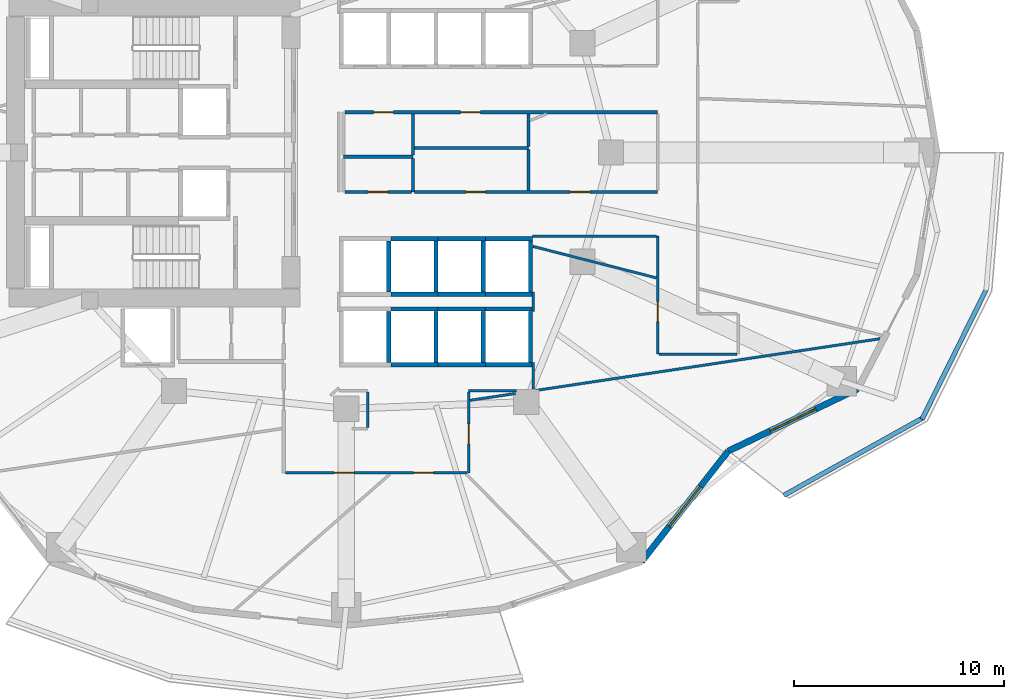
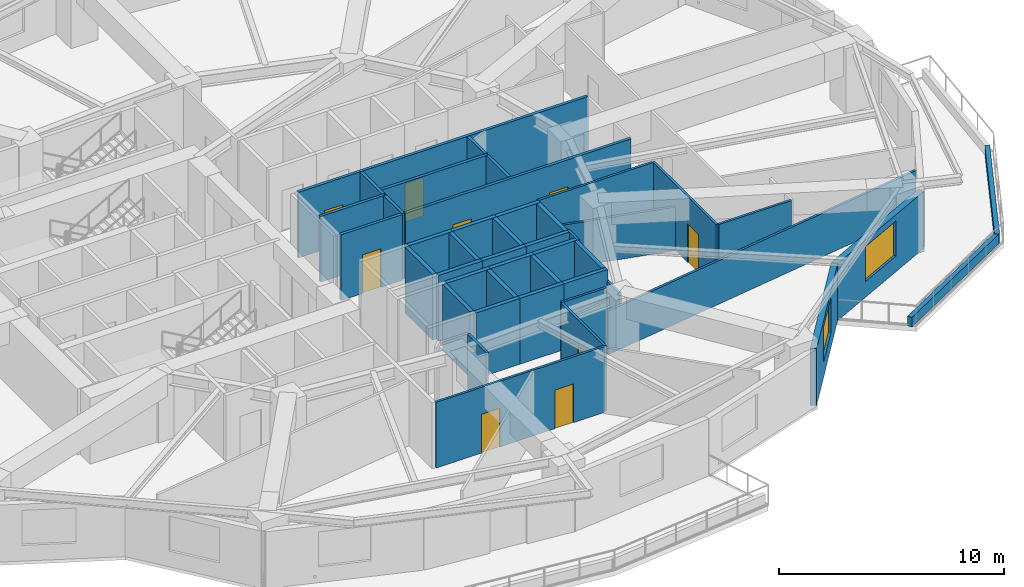
# One storey, part 5 of 13: 45 walls, 9 doors, 2 windows, 11 openings.
"""IFC4 building model written with IfcOpenShell, lengths in metres."""

from ifc_helpers import new_model, si_unit, direction, frame, frame_2d, origin, place, context, subcontext, project, spatial, rectangle, extrude, material, layer, layer_set, type_object, element, fill, save


model = new_model("IFC4")

# Units and contexts
model_context = context("Model", 3, precision=1e-05, world=origin(), true_north=direction((0.0, 1.0)))
body_context = subcontext(model_context, "Body", "Model", "MODEL_VIEW")
ifc_project = project(units=[si_unit("LENGTHUNIT", "METRE"), si_unit("AREAUNIT", "SQUARE_METRE"), si_unit("VOLUMEUNIT", "CUBIC_METRE"), si_unit("PLANEANGLEUNIT", "RADIAN"), si_unit("MASSUNIT", "GRAM", prefix="KILO")], contexts=[model_context])

# Site, building, storey
site_placement = place(None, origin())
site = spatial("IfcSite", under=ifc_project, at=site_placement, CompositionType="ELEMENT")
building_placement = place(site_placement, origin())
building = spatial("IfcBuilding", under=site, at=building_placement, Name="Kolvaren Gate Tower and Convention Centre", CompositionType="ELEMENT")
storey_placement = place(building_placement, frame((0.0, 0.0, 49.60009765625)))
storey = spatial("IfcBuildingStorey", under=building, at=storey_placement, Name="L11", CompositionType="ELEMENT", Elevation=49.60009765625)

# Wall
ifc_material_1 = material(Name="Fire-Rated Acoustic Gypsum Stud Partition", Category="gypsum")
ifc_layer_1 = layer(ifc_material_1, 0.1201171875)
ifc_layer_set_1 = layer_set([ifc_layer_1], Name="Fire-Rated Acoustic Gypsum Stud Partition")
wall_type_1 = type_object("IfcWallType", Name="ARCH-WL-PART-120", PredefinedType="PARTITIONING", material=ifc_layer_set_1)
wall_1_placement = place(storey_placement, frame((35.949951171875, 15.64990234375, 0.0), z_axis=(0.0, 0.0, 1.0), x_axis=(1.0, 0.0, 0.0)))
element("IfcWall", 1, at=wall_1_placement, inside=storey, type_object=wall_type_1, Name="Interior Partition WL-L11-INT-023", PredefinedType="PARTITIONING", context=body_context, shape_type="SweptSolid", body=[
    extrude(rectangle(XDim=2.291015625, YDim=0.1201171875, at=frame_2d((1.1455078125, 0.0))), origin(), (0.0, 0.0, 1.0), 3.56982421875),
])

# Wall, opening, door
wall_2_placement = place(storey_placement, frame((35.949951171875, 11.75, 0.0), z_axis=(0.0, 0.0, 1.0), x_axis=(0.0, 1.0, 0.0)))
wall_2 = element("IfcWall", 2, at=wall_2_placement, inside=storey, type_object=wall_type_1, Name="Interior Partition WL-L11-INT-024", PredefinedType="PARTITIONING", context=body_context, shape_type="SweptSolid", body=[
    extrude(rectangle(XDim=3.837890625, YDim=0.1201171875, at=frame_2d((1.9189453125, 0.0))), origin(), (0.0, 0.0, 1.0), 3.56982421875),
])
opening_1_placement = place(wall_2_placement, frame((1.376220703125, 0.0, 0.0)))
opening_1 = element("IfcOpeningElement", 3, at=opening_1_placement, cuts=wall_2, Name="Opening DR-01", PredefinedType="OPENING", context=body_context, shape_type="SweptSolid", body=[
    extrude(rectangle(XDim=0.949951171875, YDim=2.10009765625, at=frame_2d((0.47509765625, 1.050048828125))), frame((0.0, 0.070068359375, 0.0), z_axis=(0.0, -1.0, 0.0), x_axis=(1.0, 0.0, 0.0)), (0.0, 0.0, 1.0), 0.14013671875),
])
ifc_material_2 = material(Name="Painted Architectural Steelwork ASTM A500 Grade C 345 MPa", Category="steel")
door_type = type_object("IfcDoorType", Name="ARCH-DR-RISER-950", OperationType="SINGLE_SWING_RIGHT", PredefinedType="DOOR", material=ifc_material_2)
door_1_placement = place(opening_1_placement, origin())
door_1 = element("IfcDoor", 4, at=door_1_placement, inside=storey, type_object=door_type, Name="Staff Dining and Bistro Cafe Door", OperationType="SINGLE_SWING_RIGHT", OverallHeight=2.10009765625, OverallWidth=0.949951171875, PredefinedType="DOOR", context=body_context, shape_type="SweptSolid", body=[
    extrude(rectangle(XDim=0.949951171875, YDim=2.10009765625, at=frame_2d((0.47509765625, 1.050048828125))), frame((0.0, 0.02490234375, 0.0), z_axis=(0.0, -1.0, 0.0), x_axis=(1.0, 0.0, 0.0)), (0.0, 0.0, 1.0), 0.050048828125),
])
fill(opening_1, door_1)

# Wall, openings, doors
wall_3_placement = place(storey_placement, frame((27.241943359375, 11.75, 0.0), z_axis=(0.0, 0.0, 1.0), x_axis=(1.0, 0.0, 0.0)))
wall_3 = element("IfcWall", 5, at=wall_3_placement, inside=storey, type_object=wall_type_1, Name="Interior Partition WL-L11-INT-025", PredefinedType="PARTITIONING", context=body_context, shape_type="SweptSolid", body=[
    extrude(rectangle(XDim=8.64599609375, YDim=0.1201171875, at=frame_2d((4.322998046875, 0.0))), origin(), (0.0, 0.0, 1.0), 3.56982421875),
])
opening_2_placement = place(wall_3_placement, frame((2.310791015625, 0.0, 0.0)))
opening_2 = element("IfcOpeningElement", 6, at=opening_2_placement, cuts=wall_3, Name="Opening DR-01", PredefinedType="OPENING", context=body_context, shape_type="SweptSolid", body=[
    extrude(rectangle(XDim=0.949951171875, YDim=2.10009765625, at=frame_2d((0.47509765625, 1.050048828125))), frame((0.0, 0.070068359375, 0.0), z_axis=(0.0, -1.0, 0.0), x_axis=(1.0, 0.0, 0.0)), (0.0, 0.0, 1.0), 0.14013671875),
])
opening_3_placement = place(wall_3_placement, frame((6.099365234375, 0.0, 0.0)))
opening_3 = element("IfcOpeningElement", 7, at=opening_3_placement, cuts=wall_3, Name="Opening DR-01", PredefinedType="OPENING", context=body_context, shape_type="SweptSolid", body=[
    extrude(rectangle(XDim=0.949951171875, YDim=2.10009765625, at=frame_2d((0.47509765625, 1.050048828125))), frame((0.0, 0.070068359375, 0.0), z_axis=(0.0, -1.0, 0.0), x_axis=(1.0, 0.0, 0.0)), (0.0, 0.0, 1.0), 0.14013671875),
])
door_2_placement = place(opening_2_placement, origin())
door_2 = element("IfcDoor", 8, at=door_2_placement, inside=storey, type_object=door_type, Name="Staff Bistro Cafe Door", OperationType="SINGLE_SWING_RIGHT", OverallHeight=2.10009765625, OverallWidth=0.949951171875, PredefinedType="DOOR", context=body_context, shape_type="SweptSolid", body=[
    extrude(rectangle(XDim=0.949951171875, YDim=2.10009765625, at=frame_2d((0.47509765625, 1.050048828125))), frame((0.0, 0.02490234375, 0.0), z_axis=(0.0, -1.0, 0.0), x_axis=(1.0, 0.0, 0.0)), (0.0, 0.0, 1.0), 0.050048828125),
])
fill(opening_2, door_2)
door_3_placement = place(opening_3_placement, origin())
door_3 = element("IfcDoor", 9, at=door_3_placement, inside=storey, type_object=door_type, Name="Technical Reference Library Door", OperationType="SINGLE_SWING_LEFT", OverallHeight=2.10009765625, OverallWidth=0.949951171875, PredefinedType="DOOR", context=body_context, shape_type="SweptSolid", body=[
    extrude(rectangle(XDim=0.949951171875, YDim=2.10009765625, at=frame_2d((0.47509765625, 1.050048828125))), frame((0.0, 0.02490234375, 0.0), z_axis=(0.0, -1.0, 0.0), x_axis=(1.0, 0.0, 0.0)), (0.0, 0.0, 1.0), 0.050048828125),
])
fill(opening_3, door_3)

# Wall, opening, door
wall_4_placement = place(storey_placement, frame((44.949951171875, 17.39990234375, 0.0), z_axis=(0.0, 0.0, 1.0), x_axis=(0.0, 1.0, 0.0)))
wall_4 = element("IfcWall", 10, at=wall_4_placement, inside=storey, type_object=wall_type_1, Name="Interior Partition WL-L11-INT-032", PredefinedType="PARTITIONING", context=body_context, shape_type="SweptSolid", body=[
    extrude(rectangle(XDim=5.6201171875, YDim=0.1201171875, at=frame_2d((2.81005859375, 0.0))), origin(), (0.0, 0.0, 1.0), 3.56982421875),
])
opening_4_placement = place(wall_4_placement, frame((1.5546875, 0.0, 0.0)))
opening_4 = element("IfcOpeningElement", 11, at=opening_4_placement, cuts=wall_4, Name="Opening DR-01", PredefinedType="OPENING", context=body_context, shape_type="SweptSolid", body=[
    extrude(rectangle(XDim=0.949951171875, YDim=2.10009765625, at=frame_2d((0.47509765625, 1.050048828125))), frame((0.0, 0.070068359375, 0.0), z_axis=(0.0, -1.0, 0.0), x_axis=(1.0, 0.0, 0.0)), (0.0, 0.0, 1.0), 0.14013671875),
])
door_4_placement = place(opening_4_placement, origin())
door_4 = element("IfcDoor", 12, at=door_4_placement, inside=storey, type_object=door_type, Name="Project Review Meeting Room Door", OperationType="SINGLE_SWING_LEFT", OverallHeight=2.10009765625, OverallWidth=0.949951171875, PredefinedType="DOOR", context=body_context, shape_type="SweptSolid", body=[
    extrude(rectangle(XDim=0.949951171875, YDim=2.10009765625, at=frame_2d((0.47509765625, 1.050048828125))), frame((0.0, 0.02490234375, 0.0), z_axis=(0.0, -1.0, 0.0), x_axis=(1.0, 0.0, 0.0)), (0.0, 0.0, 1.0), 0.050048828125),
])
fill(opening_4, door_4)

# Walls
wall_5_placement = place(storey_placement, frame((45.011962890625, 17.39990234375, 0.0), z_axis=(0.0, 0.0, 1.0), x_axis=(1.0, 0.0, 0.0)))
element("IfcWall", 13, at=wall_5_placement, inside=storey, type_object=wall_type_1, Name="Interior Partition WL-L11-INT-041", PredefinedType="PARTITIONING", context=body_context, shape_type="SweptSolid", body=[
    extrude(rectangle(XDim=3.72607421875, YDim=0.1201171875, at=frame_2d((1.863037109375, 0.0))), origin(), (0.0, 0.0, 1.0), 3.56982421875),
])
wall_6_placement = place(storey_placement, frame((39.0, 23.02001953125, 0.0), z_axis=(0.0, 0.0, 1.0), x_axis=(1.0, 0.0, 0.0)))
element("IfcWall", 14, at=wall_6_placement, inside=storey, type_object=wall_type_1, Name="Interior Partition WL-L11-INT-042", PredefinedType="PARTITIONING", context=body_context, shape_type="SweptSolid", body=[
    extrude(rectangle(XDim=5.887939453125, YDim=0.1201171875, at=frame_2d((2.94384765625, 0.0))), origin(), (0.0, 0.0, 1.0), 3.56982421875),
])
wall_7_placement = place(storey_placement, frame((39.02001953125, 15.741943359375, 0.0), z_axis=(0.0, 0.0, 1.0), x_axis=(0.0, 1.0, 0.0)))
element("IfcWall", 15, at=wall_7_placement, inside=storey, type_object=wall_type_1, Name="Interior Partition WL-L11-INT-043", PredefinedType="PARTITIONING", context=body_context, shape_type="SweptSolid", body=[
    extrude(rectangle(XDim=1.26806640625, YDim=0.1201171875, at=frame_2d((0.634033203125, 0.0))), origin(), (0.0, 0.0, 1.0), 2.933837890625),
])
wall_8_placement = place(storey_placement, frame((39.02001953125, 19.43994140625, 0.0), z_axis=(0.0, 0.0, 1.0), x_axis=(0.0, 1.0, 0.0)))
element("IfcWall", 16, at=wall_8_placement, inside=storey, type_object=wall_type_1, Name="Interior Partition WL-L11-INT-043 (2)", PredefinedType="PARTITIONING", context=body_context, shape_type="SweptSolid", body=[
    extrude(rectangle(XDim=0.920166015625, YDim=0.1201171875, at=frame_2d((0.4599609375, 0.0))), origin(), (0.0, 0.0, 1.0), 3.56982421875),
])
wall_9_placement = place(storey_placement, frame((31.14990234375, 13.912109375, 0.0), z_axis=(0.0, 0.0, 1.0), x_axis=(0.0, 1.0, 0.0)))
element("IfcWall", 17, at=wall_9_placement, inside=storey, type_object=wall_type_1, Name="Interior Partition WL-L11-INT-046", PredefinedType="PARTITIONING", context=body_context, shape_type="SweptSolid", body=[
    extrude(rectangle(XDim=1.67578125, YDim=0.1201171875, at=frame_2d((0.837890625, 0.0))), origin(), (0.0, 0.0, 1.0), 3.56982421875),
])
wall_10_placement = place(storey_placement, frame((39.015380859375, 22.53076171875, 0.0), z_axis=(0.0, 0.0, 1.0), x_axis=(0.968999219603, -0.247063782066, 0.0)))
element("IfcWall", 18, at=wall_10_placement, inside=storey, type_object=wall_type_1, Name="Interior Partition WL-L11-INT-051", PredefinedType="PARTITIONING", context=body_context, shape_type="SweptSolid", body=[
    extrude(rectangle(XDim=6.060546875, YDim=0.1201171875, at=frame_2d((3.0302734375, 0.0))), origin(), (0.0, 0.0, 1.0), 2.3623046875),
])
wall_11_placement = place(storey_placement, frame((36.011962890625, 15.201904296875, 0.0), z_axis=(0.0, 0.0, 1.0), x_axis=(0.988905340033, 0.148547058049, 0.0)))
element("IfcWall", 19, at=wall_11_placement, inside=storey, type_object=wall_type_1, Name="Interior Partition WL-L11-INT-054", PredefinedType="PARTITIONING", context=body_context, shape_type="SweptSolid", body=[
    extrude(rectangle(XDim=2.19580078125, YDim=0.1201171875, at=frame_2d((1.097900390625, 0.0))), origin(), (0.0, 0.0, 1.0), 2.933837890625),
])
wall_12_placement = place(storey_placement, frame((38.240966796875, 15.53662109375, 0.0), z_axis=(0.0, 0.0, 1.0), x_axis=(0.988910037188, 0.148515784849, 0.0)))
element("IfcWall", 20, at=wall_12_placement, inside=storey, type_object=wall_type_1, Name="Interior Partition WL-L11-INT-054 (2)", PredefinedType="PARTITIONING", context=body_context, shape_type="SweptSolid", body=[
    extrude(rectangle(XDim=17.4990234375, YDim=0.1201171875, at=frame_2d((8.74951171875, 0.0))), origin(), (0.0, 0.0, 1.0), 2.3623046875),
])
ifc_material_3 = material(Name="Piedmont Cream Honed Limestone Cladding", Category="masonry")
ifc_layer_2 = layer(ifc_material_3, 0.219970703125)
ifc_layer_set_2 = layer_set([ifc_layer_2], Name="Piedmont Cream Honed Limestone Cladding")
wall_type_2 = type_object("IfcWallType", Name="ARCH-WL-PLANTER-220", PredefinedType="PARAPET", material=ifc_layer_set_2)
wall_13_placement = place(storey_placement, frame((50.959228515625, 10.677978515625, 0.0), z_axis=(0.0, 0.0, 1.0), x_axis=(0.873500119739, 0.48682393205, 0.0)))
element("IfcWall", 21, at=wall_13_placement, inside=storey, type_object=wall_type_2, Name="Vertical-Forest Balcony Stone Planter Kerb PK-L11-4.1", PredefinedType="PARAPET", context=body_context, shape_type="SweptSolid", body=[
    extrude(rectangle(XDim=7.56201171875, YDim=0.219970703125, at=frame_2d((3.781005859375, 0.0))), origin(), (0.0, 0.0, 1.0), 0.52001953125),
])
wall_14_placement = place(storey_placement, frame((57.538818359375, 14.303466796875, 0.0), z_axis=(0.0, 0.0, 1.0), x_axis=(0.443578479433, 0.8962355341, 0.0)))
element("IfcWall", 22, at=wall_14_placement, inside=storey, type_object=wall_type_2, Name="Vertical-Forest Balcony Stone Planter Kerb PK-L11-4.2", PredefinedType="PARAPET", context=body_context, shape_type="SweptSolid", body=[
    extrude(rectangle(XDim=6.9111328125, YDim=0.219970703125, at=frame_2d((3.45556640625, 0.0))), origin(), (0.0, 0.0, 1.0), 0.52001953125),
])
ifc_material_4 = material(Name="Autoclaved Aerated Masonry Blockwork Class 4 (4.0 MPa)", Category="masonry")
ifc_layer_3 = layer(ifc_material_4, 0.199951171875)
ifc_layer_set_3 = layer_set([ifc_layer_3], Name="Autoclaved Aerated Masonry Blockwork Class 4 (4.0 MPa)")
wall_type_3 = type_object("IfcWallType", Name="ARCH-WL-SHAFT-200", PredefinedType="SOLIDWALL", material=ifc_layer_set_3)
wall_15_placement = place(storey_placement, frame((32.14990234375, 17.010009765625, 0.0), z_axis=(0.0, 0.0, 1.0), x_axis=(0.0, 1.0, 0.0)))
element("IfcWall", 23, at=wall_15_placement, inside=storey, type_object=wall_type_3, Name="Elevator PL-05 L11 Fire Shaft Wall E", PredefinedType="SOLIDWALL", context=body_context, shape_type="SweptSolid", body=[
    extrude(rectangle(XDim=2.429931640625, YDim=0.199951171875, at=frame_2d((1.21484375, 0.0))), origin(), (0.0, 0.0, 1.0), 3.56982421875),
])
for number, where, z_axis, x_axis, name in (
    (24, (32.25, 19.550048828125, 0.0), (0.0, 0.0, 1.0), (1.0, 0.0, 0.0), "Elevator PL-06 L11 Fire Shaft Wall N"),
    (25, (32.25, 16.89990234375, 0.0), (0.0, 0.0, 1.0), (1.0, 0.0, 0.0), "Elevator PL-06 L11 Fire Shaft Wall S"),
):
    element("IfcWall", number, at=place(storey_placement, frame(where, z_axis=z_axis, x_axis=x_axis)), inside=storey, type_object=wall_type_3, Name=name, PredefinedType="SOLIDWALL", context=body_context, shape_type="SweptSolid", body=[
        extrude(rectangle(XDim=2.25, YDim=0.199951171875, at=frame_2d((1.125, 0.0))), origin(), (0.0, 0.0, 1.0), 3.56982421875),
    ])
wall_16_placement = place(storey_placement, frame((34.39990234375, 17.010009765625, 0.0), z_axis=(0.0, 0.0, 1.0), x_axis=(0.0, 1.0, 0.0)))
element("IfcWall", 26, at=wall_16_placement, inside=storey, type_object=wall_type_3, Name="Elevator PL-06 L11 Fire Shaft Wall E", PredefinedType="SOLIDWALL", context=body_context, shape_type="SweptSolid", body=[
    extrude(rectangle(XDim=2.429931640625, YDim=0.199951171875, at=frame_2d((1.21484375, 0.0))), origin(), (0.0, 0.0, 1.0), 3.56982421875),
])
for number, where, z_axis, x_axis, name in (
    (27, (34.5, 19.550048828125, 0.0), (0.0, 0.0, 1.0), (1.0, 0.0, 0.0), "Elevator PL-07 L11 Fire Shaft Wall N"),
    (28, (34.5, 16.89990234375, 0.0), (0.0, 0.0, 1.0), (1.0, 0.0, 0.0), "Elevator PL-07 L11 Fire Shaft Wall S"),
):
    element("IfcWall", number, at=place(storey_placement, frame(where, z_axis=z_axis, x_axis=x_axis)), inside=storey, type_object=wall_type_3, Name=name, PredefinedType="SOLIDWALL", context=body_context, shape_type="SweptSolid", body=[
        extrude(rectangle(XDim=2.25, YDim=0.199951171875, at=frame_2d((1.125, 0.0))), origin(), (0.0, 0.0, 1.0), 3.56982421875),
    ])
wall_17_placement = place(storey_placement, frame((36.64990234375, 17.010009765625, 0.0), z_axis=(0.0, 0.0, 1.0), x_axis=(0.0, 1.0, 0.0)))
element("IfcWall", 29, at=wall_17_placement, inside=storey, type_object=wall_type_3, Name="Elevator PL-07 L11 Fire Shaft Wall E", PredefinedType="SOLIDWALL", context=body_context, shape_type="SweptSolid", body=[
    extrude(rectangle(XDim=2.429931640625, YDim=0.199951171875, at=frame_2d((1.21484375, 0.0))), origin(), (0.0, 0.0, 1.0), 3.56982421875),
])
for number, where, z_axis, x_axis, name in (
    (30, (36.75, 19.550048828125, 0.0), (0.0, 0.0, 1.0), (1.0, 0.0, 0.0), "Elevator PL-08 L11 Fire Shaft Wall N"),
    (31, (36.75, 16.89990234375, 0.0), (0.0, 0.0, 1.0), (1.0, 0.0, 0.0), "Elevator PL-08 L11 Fire Shaft Wall S"),
):
    element("IfcWall", number, at=place(storey_placement, frame(where, z_axis=z_axis, x_axis=x_axis)), inside=storey, type_object=wall_type_3, Name=name, PredefinedType="SOLIDWALL", context=body_context, shape_type="SweptSolid", body=[
        extrude(rectangle(XDim=2.25, YDim=0.199951171875, at=frame_2d((1.125, 0.0))), origin(), (0.0, 0.0, 1.0), 3.56982421875),
    ])
for number, where, z_axis, x_axis, name in (
    (32, (38.89990234375, 17.010009765625, 0.0), (0.0, 0.0, 1.0), (0.0, 1.0, 0.0), "Elevator PL-08 L11 Fire Shaft Wall E"),
    (33, (32.14990234375, 20.360107421875, 0.0), (0.0, 0.0, 1.0), (0.0, 1.0, 0.0), "Elevator PL-09 L11 Fire Shaft Wall E"),
):
    element("IfcWall", number, at=place(storey_placement, frame(where, z_axis=z_axis, x_axis=x_axis)), inside=storey, type_object=wall_type_3, Name=name, PredefinedType="SOLIDWALL", context=body_context, shape_type="SweptSolid", body=[
        extrude(rectangle(XDim=2.429931640625, YDim=0.199951171875, at=frame_2d((1.21484375, 0.0))), origin(), (0.0, 0.0, 1.0), 3.56982421875),
    ])
for number, where, z_axis, x_axis, name in (
    (34, (32.25, 22.89990234375, 0.0), (0.0, 0.0, 1.0), (1.0, 0.0, 0.0), "Elevator PL-10 L11 Fire Shaft Wall N"),
    (35, (32.25, 20.25, 0.0), (0.0, 0.0, 1.0), (1.0, 0.0, 0.0), "Elevator PL-10 L11 Fire Shaft Wall S"),
):
    element("IfcWall", number, at=place(storey_placement, frame(where, z_axis=z_axis, x_axis=x_axis)), inside=storey, type_object=wall_type_3, Name=name, PredefinedType="SOLIDWALL", context=body_context, shape_type="SweptSolid", body=[
        extrude(rectangle(XDim=2.25, YDim=0.199951171875, at=frame_2d((1.125, 0.0))), origin(), (0.0, 0.0, 1.0), 3.56982421875),
    ])
wall_18_placement = place(storey_placement, frame((34.39990234375, 20.360107421875, 0.0), z_axis=(0.0, 0.0, 1.0), x_axis=(0.0, 1.0, 0.0)))
element("IfcWall", 36, at=wall_18_placement, inside=storey, type_object=wall_type_3, Name="Elevator PL-10 L11 Fire Shaft Wall E", PredefinedType="SOLIDWALL", context=body_context, shape_type="SweptSolid", body=[
    extrude(rectangle(XDim=2.429931640625, YDim=0.199951171875, at=frame_2d((1.21484375, 0.0))), origin(), (0.0, 0.0, 1.0), 3.56982421875),
])
for number, where, z_axis, x_axis, name in (
    (37, (34.5, 22.89990234375, 0.0), (0.0, 0.0, 1.0), (1.0, 0.0, 0.0), "Elevator PL-11 L11 Fire Shaft Wall N"),
    (38, (34.5, 20.25, 0.0), (0.0, 0.0, 1.0), (1.0, 0.0, 0.0), "Elevator PL-11 L11 Fire Shaft Wall S"),
):
    element("IfcWall", number, at=place(storey_placement, frame(where, z_axis=z_axis, x_axis=x_axis)), inside=storey, type_object=wall_type_3, Name=name, PredefinedType="SOLIDWALL", context=body_context, shape_type="SweptSolid", body=[
        extrude(rectangle(XDim=2.25, YDim=0.199951171875, at=frame_2d((1.125, 0.0))), origin(), (0.0, 0.0, 1.0), 3.56982421875),
    ])
wall_19_placement = place(storey_placement, frame((36.64990234375, 20.360107421875, 0.0), z_axis=(0.0, 0.0, 1.0), x_axis=(0.0, 1.0, 0.0)))
element("IfcWall", 39, at=wall_19_placement, inside=storey, type_object=wall_type_3, Name="Elevator PL-11 L11 Fire Shaft Wall E", PredefinedType="SOLIDWALL", context=body_context, shape_type="SweptSolid", body=[
    extrude(rectangle(XDim=2.429931640625, YDim=0.199951171875, at=frame_2d((1.21484375, 0.0))), origin(), (0.0, 0.0, 1.0), 3.56982421875),
])
for number, where, z_axis, x_axis, name in (
    (40, (36.75, 22.89990234375, 0.0), (0.0, 0.0, 1.0), (1.0, 0.0, 0.0), "Elevator PL-12 L11 Fire Shaft Wall N"),
    (41, (36.75, 20.25, 0.0), (0.0, 0.0, 1.0), (1.0, 0.0, 0.0), "Elevator PL-12 L11 Fire Shaft Wall S"),
):
    element("IfcWall", number, at=place(storey_placement, frame(where, z_axis=z_axis, x_axis=x_axis)), inside=storey, type_object=wall_type_3, Name=name, PredefinedType="SOLIDWALL", context=body_context, shape_type="SweptSolid", body=[
        extrude(rectangle(XDim=2.25, YDim=0.199951171875, at=frame_2d((1.125, 0.0))), origin(), (0.0, 0.0, 1.0), 3.56982421875),
    ])
wall_20_placement = place(storey_placement, frame((38.89990234375, 20.360107421875, 0.0), z_axis=(0.0, 0.0, 1.0), x_axis=(0.0, 1.0, 0.0)))
element("IfcWall", 42, at=wall_20_placement, inside=storey, type_object=wall_type_3, Name="Elevator PL-12 L11 Fire Shaft Wall E", PredefinedType="SOLIDWALL", context=body_context, shape_type="SweptSolid", body=[
    extrude(rectangle(XDim=2.429931640625, YDim=0.199951171875, at=frame_2d((1.21484375, 0.0))), origin(), (0.0, 0.0, 1.0), 3.56982421875),
])

# Wall, opening, window
ifc_layer_4 = layer(ifc_material_3, 0.300048828125)
ifc_layer_set_4 = layer_set([ifc_layer_4], Name="Piedmont Cream Honed Limestone Cladding")
wall_type_4 = type_object("IfcWallType", Name="ARCH-WL-STONE-300", PredefinedType="SOLIDWALL", material=ifc_layer_set_4)
wall_21_placement = place(storey_placement, frame((44.1875, 7.514404296875, 0.0), z_axis=(0.0, 0.0, 1.0), x_axis=(0.616421309777, 0.787416515482, 0.0)))
wall_21 = element("IfcWall", 43, at=wall_21_placement, inside=storey, type_object=wall_type_4, Name="Tower L11 Honed Stone Spandrel Wall EW-20", PredefinedType="SOLIDWALL", context=body_context, shape_type="SweptSolid", body=[
    extrude(rectangle(XDim=6.6962890625, YDim=0.300048828125, at=frame_2d((3.34814453125, 0.0))), origin(), (0.0, 0.0, 1.0), 3.093017578125),
])
opening_5_placement = place(wall_21_placement, frame((2.14794921875, 0.0, 0.85009765625)))
opening_5 = element("IfcOpeningElement", 44, at=opening_5_placement, cuts=wall_21, Name="Opening W-01", PredefinedType="OPENING", context=body_context, shape_type="SweptSolid", body=[
    extrude(rectangle(XDim=2.39990234375, YDim=1.89990234375, at=frame_2d((1.199951171875, 0.949951171875))), frame((0.0, 0.159912109375, 0.0), z_axis=(0.0, -1.0, 0.0), x_axis=(1.0, 0.0, 0.0)), (0.0, 0.0, 1.0), 0.320068359375),
])
ifc_material_5 = material(Name="Low-E Triple Insulated Glazing Unit 44 mm", Category="glass")
window_type = type_object("IfcWindowType", Name="ARCH-WN-OFF-2400", PartitioningType="SINGLE_PANEL", PredefinedType="WINDOW", material=ifc_material_5)
window_1_placement = place(opening_5_placement, origin())
window_1 = element("IfcWindow", 45, at=window_1_placement, inside=storey, type_object=window_type, Name="Tower L11 Punched Stone Facade Window W-20", OverallHeight=1.89990234375, OverallWidth=2.39990234375, PartitioningType="SINGLE_PANEL", PredefinedType="WINDOW", context=body_context, shape_type="SweptSolid", body=[
    extrude(rectangle(XDim=2.39990234375, YDim=1.89990234375, at=frame_2d((1.199951171875, 0.949951171875))), frame((0.0, 0.030029296875, 0.0), z_axis=(0.0, -1.0, 0.0), x_axis=(1.0, 0.0, 0.0)), (0.0, 0.0, 1.0), 0.06005859375),
])
fill(opening_5, window_1)

wall_22_placement = place(storey_placement, frame((48.315185546875, 12.787109375, 0.0), z_axis=(0.0, 0.0, 1.0), x_axis=(0.901360393999, 0.433069786673, 0.0)))
wall_22 = element("IfcWall", 46, at=wall_22_placement, inside=storey, type_object=wall_type_4, Name="Tower L11 Honed Stone Spandrel Wall EW-21", PredefinedType="SOLIDWALL", context=body_context, shape_type="SweptSolid", body=[
    extrude(rectangle(XDim=6.841552734375, YDim=0.300048828125, at=frame_2d((3.4208984375, 0.0))), origin(), (0.0, 0.0, 1.0), 3.093017578125),
])
opening_6_placement = place(wall_22_placement, frame((2.220947265625, 0.0, 0.85009765625)))
opening_6 = element("IfcOpeningElement", 47, at=opening_6_placement, cuts=wall_22, Name="Opening W-01", PredefinedType="OPENING", context=body_context, shape_type="SweptSolid", body=[
    extrude(rectangle(XDim=2.39990234375, YDim=1.89990234375, at=frame_2d((1.199951171875, 0.949951171875))), frame((0.0, 0.159912109375, 0.0), z_axis=(0.0, -1.0, 0.0), x_axis=(1.0, 0.0, 0.0)), (0.0, 0.0, 1.0), 0.320068359375),
])
window_2_placement = place(opening_6_placement, origin())
window_2 = element("IfcWindow", 48, at=window_2_placement, inside=storey, type_object=window_type, Name="Tower L11 Punched Stone Facade Window W-21", OverallHeight=1.89990234375, OverallWidth=2.39990234375, PartitioningType="SINGLE_PANEL", PredefinedType="WINDOW", context=body_context, shape_type="SweptSolid", body=[
    extrude(rectangle(XDim=2.39990234375, YDim=1.89990234375, at=frame_2d((1.199951171875, 0.949951171875))), frame((0.0, 0.030029296875, 0.0), z_axis=(0.0, -1.0, 0.0), x_axis=(1.0, 0.0, 0.0)), (0.0, 0.0, 1.0), 0.06005859375),
])
fill(opening_6, window_2)

# Wall
ifc_material_6 = material(Name="Moisture-Resistant Cement-Board Acoustic Partition", Category="gypsum")
ifc_layer_5 = layer(ifc_material_6, 0.14990234375)
ifc_layer_set_5 = layer_set([ifc_layer_5], Name="Moisture-Resistant Cement-Board Acoustic Partition")
wall_type_5 = type_object("IfcWallType", Name="ARCH-WL-WET-150", PredefinedType="PARTITIONING", material=ifc_layer_set_5)
wall_23_placement = place(storey_placement, frame((30.0, 26.800048828125, 0.0), z_axis=(0.0, 0.0, 1.0), x_axis=(1.0, 0.0, 0.0)))
element("IfcWall", 49, at=wall_23_placement, inside=storey, type_object=wall_type_5, Name="Interior Partition WL-L11-INT-015", PredefinedType="PARTITIONING", context=body_context, shape_type="SweptSolid", body=[
    extrude(rectangle(XDim=3.300048828125, YDim=0.14990234375, at=frame_2d((1.64990234375, 0.0))), origin(), (0.0, 0.0, 1.0), 3.56982421875),
])

# Wall, openings, doors
wall_24_placement = place(storey_placement, frame((30.076904296875, 28.919921875, 0.0), z_axis=(0.0, 0.0, 1.0), x_axis=(1.0, 0.0, 0.0)))
wall_24 = element("IfcWall", 50, at=wall_24_placement, inside=storey, type_object=wall_type_5, Name="Interior Partition WL-L11-INT-017", PredefinedType="PARTITIONING", context=body_context, shape_type="SweptSolid", body=[
    extrude(rectangle(XDim=14.873046875, YDim=0.14990234375, at=frame_2d((7.4365234375, 0.0))), origin(), (0.0, 0.0, 1.0), 3.56982421875),
])
opening_7_placement = place(wall_24_placement, frame((1.341552734375, 0.0, 0.0)))
opening_7 = element("IfcOpeningElement", 51, at=opening_7_placement, cuts=wall_24, Name="Opening DR-01", PredefinedType="OPENING", context=body_context, shape_type="SweptSolid", body=[
    extrude(rectangle(XDim=0.949951171875, YDim=2.10009765625, at=frame_2d((0.47509765625, 1.050048828125))), frame((0.0, 0.0849609375, 0.0), z_axis=(0.0, -1.0, 0.0), x_axis=(1.0, 0.0, 0.0)), (0.0, 0.0, 1.0), 0.169921875),
])
opening_8_placement = place(wall_24_placement, frame((5.498046875, 0.0, 0.0)))
opening_8 = element("IfcOpeningElement", 52, at=opening_8_placement, cuts=wall_24, Name="Opening DR-01", PredefinedType="OPENING", context=body_context, shape_type="SweptSolid", body=[
    extrude(rectangle(XDim=0.949951171875, YDim=2.10009765625, at=frame_2d((0.47509765625, 1.050048828125))), frame((0.0, 0.0849609375, 0.0), z_axis=(0.0, -1.0, 0.0), x_axis=(1.0, 0.0, 0.0)), (0.0, 0.0, 1.0), 0.169921875),
])
door_5_placement = place(opening_7_placement, origin())
door_5 = element("IfcDoor", 53, at=door_5_placement, inside=storey, type_object=door_type, Name="Accessible North Washroom Door", OperationType="SINGLE_SWING_LEFT", OverallHeight=2.10009765625, OverallWidth=0.949951171875, PredefinedType="DOOR", context=body_context, shape_type="SweptSolid", body=[
    extrude(rectangle(XDim=0.949951171875, YDim=2.10009765625, at=frame_2d((0.47509765625, 1.050048828125))), frame((0.0, 0.02490234375, 0.0), z_axis=(0.0, -1.0, 0.0), x_axis=(1.0, 0.0, 0.0)), (0.0, 0.0, 1.0), 0.050048828125),
])
fill(opening_7, door_5)
door_6_placement = place(opening_8_placement, origin())
door_6 = element("IfcDoor", 54, at=door_6_placement, inside=storey, type_object=door_type, Name="Floor Janitor and Supply Store Door", OperationType="SINGLE_SWING_LEFT", OverallHeight=2.10009765625, OverallWidth=0.949951171875, PredefinedType="DOOR", context=body_context, shape_type="SweptSolid", body=[
    extrude(rectangle(XDim=0.949951171875, YDim=2.10009765625, at=frame_2d((0.47509765625, 1.050048828125))), frame((0.0, 0.02490234375, 0.0), z_axis=(0.0, -1.0, 0.0), x_axis=(1.0, 0.0, 0.0)), (0.0, 0.0, 1.0), 0.050048828125),
])
fill(opening_8, door_6)

# Walls
wall_25_placement = place(storey_placement, frame((33.300048828125, 25.1201171875, 0.0), z_axis=(0.0, 0.0, 1.0), x_axis=(0.0, 1.0, 0.0)))
element("IfcWall", 55, at=wall_25_placement, inside=storey, type_object=wall_type_5, Name="Interior Partition WL-L11-INT-018", PredefinedType="PARTITIONING", context=body_context, shape_type="SweptSolid", body=[
    extrude(rectangle(XDim=1.602783203125, YDim=0.14990234375, at=frame_2d((0.80126953125, 0.0))), origin(), (0.0, 0.0, 1.0), 3.56982421875),
])
wall_26_placement = place(storey_placement, frame((33.300048828125, 26.876953125, 0.0), z_axis=(0.0, 0.0, 1.0), x_axis=(0.0, 1.0, 0.0)))
element("IfcWall", 56, at=wall_26_placement, inside=storey, type_object=wall_type_5, Name="Interior Partition WL-L11-INT-018 (2)", PredefinedType="PARTITIONING", context=body_context, shape_type="SweptSolid", body=[
    extrude(rectangle(XDim=1.966064453125, YDim=0.14990234375, at=frame_2d((0.98291015625, 0.0))), origin(), (0.0, 0.0, 1.0), 3.56982421875),
])

# Wall, opening, door
wall_27_placement = place(storey_placement, frame((30.076904296875, 25.1201171875, 0.0), z_axis=(0.0, 0.0, 1.0), x_axis=(1.0, 0.0, 0.0)))
wall_27 = element("IfcWall", 57, at=wall_27_placement, inside=storey, type_object=wall_type_5, Name="Interior Partition WL-L11-INT-019", PredefinedType="PARTITIONING", context=body_context, shape_type="SweptSolid", body=[
    extrude(rectangle(XDim=3.14599609375, YDim=0.14990234375, at=frame_2d((1.572998046875, 0.0))), origin(), (0.0, 0.0, 1.0), 3.56982421875),
])
opening_9_placement = place(wall_27_placement, frame((1.097900390625, 0.0, 0.0)))
opening_9 = element("IfcOpeningElement", 58, at=opening_9_placement, cuts=wall_27, Name="Opening DR-01", PredefinedType="OPENING", context=body_context, shape_type="SweptSolid", body=[
    extrude(rectangle(XDim=0.949951171875, YDim=2.10009765625, at=frame_2d((0.47509765625, 1.050048828125))), frame((0.0, 0.0849609375, 0.0), z_axis=(0.0, -1.0, 0.0), x_axis=(1.0, 0.0, 0.0)), (0.0, 0.0, 1.0), 0.169921875),
])
door_7_placement = place(opening_9_placement, origin())
door_7 = element("IfcDoor", 59, at=door_7_placement, inside=storey, type_object=door_type, Name="South Visitor Washroom Door", OperationType="SINGLE_SWING_RIGHT", OverallHeight=2.10009765625, OverallWidth=0.949951171875, PredefinedType="DOOR", context=body_context, shape_type="SweptSolid", body=[
    extrude(rectangle(XDim=0.949951171875, YDim=2.10009765625, at=frame_2d((0.47509765625, 1.050048828125))), frame((0.0, 0.02490234375, 0.0), z_axis=(0.0, -1.0, 0.0), x_axis=(1.0, 0.0, 0.0)), (0.0, 0.0, 1.0), 0.050048828125),
])
fill(opening_9, door_7)

# Wall, openings, doors
wall_28_placement = place(storey_placement, frame((33.376953125, 25.1201171875, 0.0), z_axis=(0.0, 0.0, 1.0), x_axis=(1.0, 0.0, 0.0)))
wall_28 = element("IfcWall", 60, at=wall_28_placement, inside=storey, type_object=wall_type_5, Name="Interior Partition WL-L11-INT-019 (2)", PredefinedType="PARTITIONING", context=body_context, shape_type="SweptSolid", body=[
    extrude(rectangle(XDim=11.572998046875, YDim=0.14990234375, at=frame_2d((5.78662109375, 0.0))), origin(), (0.0, 0.0, 1.0), 3.56982421875),
])
opening_10_placement = place(wall_28_placement, frame((2.44140625, 0.0, 0.0)))
opening_10 = element("IfcOpeningElement", 61, at=opening_10_placement, cuts=wall_28, Name="Opening DR-01", PredefinedType="OPENING", context=body_context, shape_type="SweptSolid", body=[
    extrude(rectangle(XDim=0.949951171875, YDim=2.10009765625, at=frame_2d((0.47509765625, 1.050048828125))), frame((0.0, 0.0849609375, 0.0), z_axis=(0.0, -1.0, 0.0), x_axis=(1.0, 0.0, 0.0)), (0.0, 0.0, 1.0), 0.169921875),
])
opening_11_placement = place(wall_28_placement, frame((7.39794921875, 0.0, 0.0)))
opening_11 = element("IfcOpeningElement", 62, at=opening_11_placement, cuts=wall_28, Name="Opening DR-01", PredefinedType="OPENING", context=body_context, shape_type="SweptSolid", body=[
    extrude(rectangle(XDim=0.949951171875, YDim=2.10009765625, at=frame_2d((0.47509765625, 1.050048828125))), frame((0.0, 0.0849609375, 0.0), z_axis=(0.0, -1.0, 0.0), x_axis=(1.0, 0.0, 0.0)), (0.0, 0.0, 1.0), 0.169921875),
])
door_8_placement = place(opening_10_placement, origin())
door_8 = element("IfcDoor", 63, at=door_8_placement, inside=storey, type_object=door_type, Name="Floor Coffee Pantry Door", OperationType="SINGLE_SWING_RIGHT", OverallHeight=2.10009765625, OverallWidth=0.949951171875, PredefinedType="DOOR", context=body_context, shape_type="SweptSolid", body=[
    extrude(rectangle(XDim=0.949951171875, YDim=2.10009765625, at=frame_2d((0.47509765625, 1.050048828125))), frame((0.0, 0.02490234375, 0.0), z_axis=(0.0, -1.0, 0.0), x_axis=(1.0, 0.0, 0.0)), (0.0, 0.0, 1.0), 0.050048828125),
])
fill(opening_10, door_8)
door_9_placement = place(opening_11_placement, origin())
door_9 = element("IfcDoor", 64, at=door_9_placement, inside=storey, type_object=door_type, Name="Quiet Reading Library Door", OperationType="SINGLE_SWING_LEFT", OverallHeight=2.10009765625, OverallWidth=0.949951171875, PredefinedType="DOOR", context=body_context, shape_type="SweptSolid", body=[
    extrude(rectangle(XDim=0.949951171875, YDim=2.10009765625, at=frame_2d((0.47509765625, 1.050048828125))), frame((0.0, 0.02490234375, 0.0), z_axis=(0.0, -1.0, 0.0), x_axis=(1.0, 0.0, 0.0)), (0.0, 0.0, 1.0), 0.050048828125),
])
fill(opening_11, door_9)

# Walls
wall_29_placement = place(storey_placement, frame((33.376953125, 27.219970703125, 0.0), z_axis=(0.0, 0.0, 1.0), x_axis=(1.0, 0.0, 0.0)))
element("IfcWall", 65, at=wall_29_placement, inside=storey, type_object=wall_type_5, Name="Interior Partition WL-L11-INT-020", PredefinedType="PARTITIONING", context=body_context, shape_type="SweptSolid", body=[
    extrude(rectangle(XDim=5.423095703125, YDim=0.14990234375, at=frame_2d((2.71142578125, 0.0))), origin(), (0.0, 0.0, 1.0), 3.56982421875),
])
wall_30_placement = place(storey_placement, frame((38.800048828125, 25.197021484375, 0.0), z_axis=(0.0, 0.0, 1.0), x_axis=(0.0, 1.0, 0.0)))
element("IfcWall", 66, at=wall_30_placement, inside=storey, type_object=wall_type_5, Name="Interior Partition WL-L11-INT-021", PredefinedType="PARTITIONING", context=body_context, shape_type="SweptSolid", body=[
    extrude(rectangle(XDim=1.946044921875, YDim=0.14990234375, at=frame_2d((0.97314453125, 0.0))), origin(), (0.0, 0.0, 1.0), 3.56982421875),
])
wall_31_placement = place(storey_placement, frame((38.800048828125, 27.297119140625, 0.0), z_axis=(0.0, 0.0, 1.0), x_axis=(0.0, 1.0, 0.0)))
element("IfcWall", 67, at=wall_31_placement, inside=storey, type_object=wall_type_5, Name="Interior Partition WL-L11-INT-021 (2)", PredefinedType="PARTITIONING", context=body_context, shape_type="SweptSolid", body=[
    extrude(rectangle(XDim=1.5458984375, YDim=0.14990234375, at=frame_2d((0.77294921875, 0.0))), origin(), (0.0, 0.0, 1.0), 3.56982421875),
])

save(model, "model.ifc")
